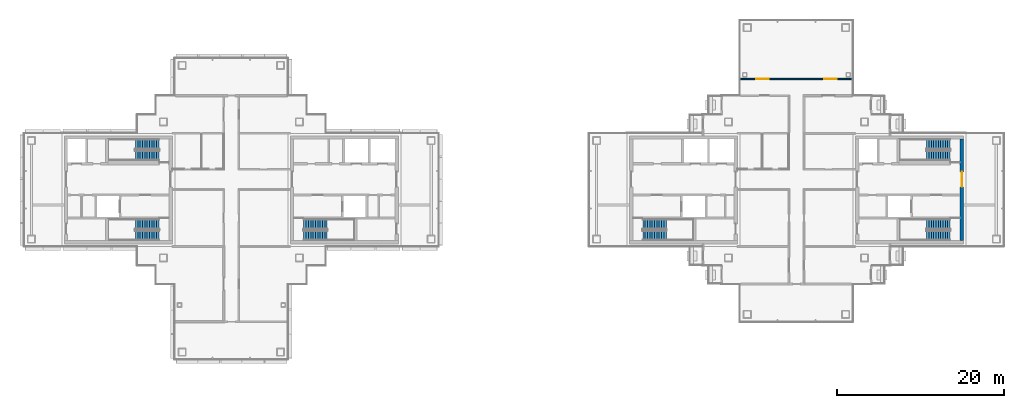
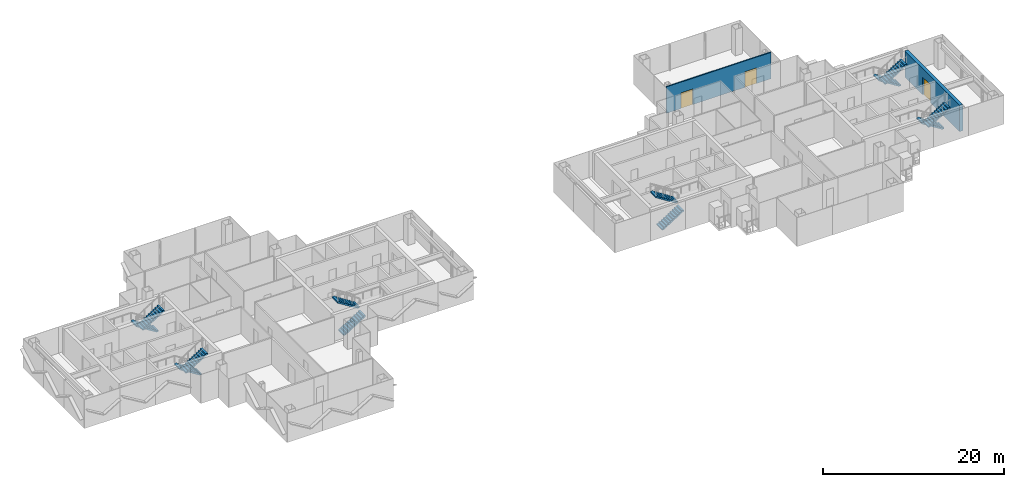
# One storey, part 13 of 17: 12 stair flights, 3 doors, 2 walls, 3 openings, 6 elements without a shape of their own.
"""IFC4 building model written with IfcOpenShell, lengths in metres."""

import ifcopenshell
import ifcopenshell.guid

model = None  # the IFC model being written
_history = None  # IfcOwnerHistory: only IFC2X3 demands one
_inside = {}  # id of a spatial element -> (the spatial element, [elements in it])
_under = {}  # id of a project, library or spatial element -> (it, [spatial elements below it])
_declared = {}  # id of a project -> (the project, [libraries it declares])
_typed = {}  # id of a type object -> (the type object, [elements of that type])
_made_of = {}  # id of a material, layer set ... -> (it, [elements and type objects made of it])


def new_model(schema):
    """Start an empty IFC model of exactly this schema.

    Asked for "IFC4X3", IfcOpenShell would pick the latest addendum, in which some entities
    have other attributes; the version numbers below select the first issue.
    IFC2X3 requires an IfcOwnerHistory on every rooted entity: one is made here for all.
    """
    global model, _history
    if schema == "IFC4X3":
        model = ifcopenshell.file(schema_version=(4, 3, 0, 0))
    else:
        model = ifcopenshell.file(schema=schema)
    _inside.clear()
    _under.clear()
    _declared.clear()
    _typed.clear()
    _made_of.clear()
    _history = None
    if model.schema == "IFC2X3":
        org = make("IfcOrganization", Name="unknown")
        user = make(
            "IfcPersonAndOrganization",
            ThePerson=make("IfcPerson", FamilyName="unknown"),
            TheOrganization=org,
        )
        app = make(
            "IfcApplication",
            ApplicationDeveloper=org,
            Version="unknown",
            ApplicationFullName="unknown",
            ApplicationIdentifier="unknown",
        )
        _history = make(
            "IfcOwnerHistory",
            OwningUser=user,
            OwningApplication=app,
            ChangeAction="ADDED",
            CreationDate=0,
        )
    return model


def make(cls, **values):
    """One entity of the class cls with the attributes given. An attribute that is None is left unset."""
    return model.create_entity(
        cls, **{name: value for name, value in values.items() if value is not None}
    )


def rooted(cls, **values):
    """An entity with a GlobalId (a new one), such as an element, a storey or a relation."""
    return make(cls, GlobalId=ifcopenshell.guid.new(), OwnerHistory=_history, **values)


def si_unit(unit_type, name, prefix=None):
    """IfcSIUnit, for example si_unit("LENGTHUNIT", "METRE", prefix="MILLI")."""
    return make("IfcSIUnit", UnitType=unit_type, Prefix=prefix, Name=name)


def assignment(units):
    """IfcUnitAssignment: the units of a project."""
    return None if units is None else make("IfcUnitAssignment", Units=units)


def point(xyz):
    """IfcCartesianPoint."""
    return None if xyz is None else make("IfcCartesianPoint", Coordinates=xyz)


def direction(xyz):
    """IfcDirection."""
    return None if xyz is None else make("IfcDirection", DirectionRatios=xyz)


def frame(location, z_axis=None, x_axis=None):
    """IfcAxis2Placement3D, a coordinate frame: its origin and axes. An axis left out is left unset."""
    return make(
        "IfcAxis2Placement3D",
        Location=point(location),
        Axis=direction(z_axis),
        RefDirection=direction(x_axis),
    )


def frame_2d(location, x_axis=None):
    """IfcAxis2Placement2D, a coordinate frame in the plane: its origin and x axis."""
    return make(
        "IfcAxis2Placement2D", Location=point(location), RefDirection=direction(x_axis)
    )


def origin():
    """The frame at (0, 0, 0) with its axes left unset."""
    return frame((0.0, 0.0, 0.0))


def place(relative_to, where):
    """IfcLocalPlacement: puts the frame where relative to a parent placement (None: the world)."""
    return make(
        "IfcLocalPlacement", PlacementRelTo=relative_to, RelativePlacement=where
    )


def context(
    kind, dimensions, precision=None, world=None, true_north=None, identifier=None
):
    """IfcGeometricRepresentationContext, for example the 3D "Model" context."""
    return make(
        "IfcGeometricRepresentationContext",
        ContextIdentifier=identifier,
        ContextType=kind,
        CoordinateSpaceDimension=dimensions,
        Precision=precision,
        WorldCoordinateSystem=world,
        TrueNorth=true_north,
    )


def subcontext(parent, identifier, kind, view, scale=None):
    """IfcGeometricRepresentationSubContext, for example "Body" below "Model"."""
    return make(
        "IfcGeometricRepresentationSubContext",
        ContextIdentifier=identifier,
        ContextType=kind,
        ParentContext=parent,
        TargetScale=scale,
        TargetView=view,
    )


def project(units=None, contexts=None):
    """IfcProject with its units and contexts."""
    return rooted(
        "IfcProject",
        Name="project",
        RepresentationContexts=contexts,
        UnitsInContext=assignment(units),
    )


def spatial(cls, under=None, at=None, **own):
    """A site, building, storey or space (cls), placed at a placement, below another one or the project."""
    s = rooted(cls, ObjectPlacement=at, **own)
    if under is not None:
        _under.setdefault(under.id(), (under, []))[1].append(s)
    return s


def polyline(points):
    """IfcPolyline through the points."""
    return make("IfcPolyline", Points=[point(p) for p in points])


def profile(cls, at=None, kind="AREA", **sizes):
    """A parametric profile (cls). Its sizes go by their IFC names, for example OverallWidth=200.0."""
    return make(cls, ProfileType=kind, Position=at, **sizes)


def rectangle(**sizes):
    """IfcRectangleProfileDef."""
    return profile("IfcRectangleProfileDef", **sizes)


def outline(outer, holes=None, kind="AREA"):
    """IfcArbitraryClosedProfileDef: a profile drawn as a closed curve; with holes, ...WithVoids."""
    if holes is None:
        return make("IfcArbitraryClosedProfileDef", ProfileType=kind, OuterCurve=outer)
    return make(
        "IfcArbitraryProfileDefWithVoids",
        ProfileType=kind,
        OuterCurve=outer,
        InnerCurves=holes,
    )


def extrude(swept, where, along, depth):
    """IfcExtrudedAreaSolid: the profile swept, set in the frame where, extruded along a direction by depth."""
    return make(
        "IfcExtrudedAreaSolid",
        SweptArea=swept,
        Position=where,
        ExtrudedDirection=direction(along),
        Depth=depth,
    )


def shape(context_of_items, identifier, shape_type, items):
    """IfcShapeRepresentation: the items that make up one representation, for example the "Body"."""
    return make(
        "IfcShapeRepresentation",
        ContextOfItems=context_of_items,
        RepresentationIdentifier=identifier,
        RepresentationType=shape_type,
        Items=items,
    )


def material(Name=None, Category=None):
    """IfcMaterial."""
    return make("IfcMaterial", Name=Name, Category=Category)


def layer(
    of_material, thickness, ventilated=None, Name=None, Category=None, Priority=None
):
    """IfcMaterialLayer: one layer of a wall or slab, of a material (None: an air gap)."""
    return make(
        "IfcMaterialLayer",
        Material=of_material,
        LayerThickness=thickness,
        IsVentilated=ventilated,
        Name=Name,
        Category=Category,
        Priority=Priority,
    )


def layer_set(layers, Name=None):
    """IfcMaterialLayerSet."""
    return make("IfcMaterialLayerSet", MaterialLayers=layers, LayerSetName=Name)


def made_of(thing, what):
    """Note that an element or type object is made of a material, layer set ...; save() writes the relation."""
    if what is not None:
        _made_of.setdefault(what.id(), (what, []))[1].append(thing)
    return thing


def type_object(cls, material=None, **own):
    """A type object (cls), such as IfcWallType, which elements share."""
    return made_of(rooted(cls, **own), material)


def element(
    cls,
    number,
    at=None,
    inside=None,
    cuts=None,
    type_object=None,
    material=None,
    context=None,
    identifier="Body",
    shape_type=None,
    held_by="IfcProductDefinitionShape",
    body=None,
    shapes=None,
    **own,
):
    """One element of the class cls, such as IfcWall. Its Tag is "e" and its number.

    at: its placement. inside: the storey or other place that contains it. cuts: it is an
    opening in that element (IfcRelVoidsElement). A single representation is given by context,
    identifier, shape_type and body (its items); several are given by shapes. held_by: the class
    of the entity that holds the representations. save() writes the other relations.
    """
    e = rooted(cls, Tag="e%d" % number, ObjectPlacement=at, **own)
    if body is not None:
        shapes = [shape(context, identifier, shape_type, body)]
    if shapes is not None:
        e.Representation = make(held_by, Representations=shapes)
    if inside is not None:
        _inside.setdefault(inside.id(), (inside, []))[1].append(e)
    if cuts is not None:
        rooted(
            "IfcRelVoidsElement", RelatingBuildingElement=cuts, RelatedOpeningElement=e
        )
    if type_object is not None:
        _typed.setdefault(type_object.id(), (type_object, []))[1].append(e)
    return made_of(e, material)


def fill(opening, filler):
    """IfcRelFillsElement: the door or window that sits in an opening."""
    return rooted(
        "IfcRelFillsElement",
        RelatingOpeningElement=opening,
        RelatedBuildingElement=filler,
    )


def aggregate(whole, parts):
    """IfcRelAggregates: a whole, such as a stair, and the parts it consists of."""
    return rooted("IfcRelAggregates", RelatingObject=whole, RelatedObjects=parts)


def save(model, path):
    """Write the relations noted so far, then the file.

    IfcRelAggregates (storeys below a building ...), IfcRelContainedInSpatialStructure (elements
    in a storey), IfcRelDefinesByType, IfcRelAssociatesMaterial and IfcRelDeclares: one each for
    every whole, place, type object, material and project.
    """
    for whole, parts in _under.values():
        aggregate(whole, parts)
    for where, things in _inside.values():
        rooted(
            "IfcRelContainedInSpatialStructure",
            RelatedElements=things,
            RelatingStructure=where,
        )
    for kind, things in _typed.values():
        rooted("IfcRelDefinesByType", RelatedObjects=things, RelatingType=kind)
    for what, things in _made_of.values():
        rooted("IfcRelAssociatesMaterial", RelatedObjects=things, RelatingMaterial=what)
    for by, libraries in _declared.values():
        rooted("IfcRelDeclares", RelatingContext=by, RelatedDefinitions=libraries)
    model.write(path)


model = new_model("IFC4")

# Units and contexts
model_context = context("Model", 3, precision=1e-05, world=origin(), true_north=direction((0.0, 1.0)))
body_context = subcontext(model_context, "Body", "Model", "MODEL_VIEW")
ifc_project = project(units=[si_unit("LENGTHUNIT", "METRE"), si_unit("AREAUNIT", "SQUARE_METRE"), si_unit("VOLUMEUNIT", "CUBIC_METRE"), si_unit("PLANEANGLEUNIT", "RADIAN"), si_unit("MASSUNIT", "GRAM", prefix="KILO")], contexts=[model_context])

# Site, building, storey
site_placement = place(None, origin())
site = spatial("IfcSite", under=ifc_project, at=site_placement, CompositionType="ELEMENT")
building_placement = place(site_placement, origin())
building = spatial("IfcBuilding", under=site, at=building_placement, Name="Shamsa Quay Exchange Towers", CompositionType="ELEMENT")
storey_placement = place(building_placement, frame((0.0, 0.0, 238.199951171875)))
storey = spatial("IfcBuildingStorey", under=building, at=storey_placement, Name="L57", CompositionType="ELEMENT", Elevation=238.199951171875)

# Wall, opening, door
ifc_material_1 = material(Name="Concrete C60/75", Category="concrete")
ifc_layer_1 = layer(ifc_material_1, 0.39990234375)
ifc_layer_set_1 = layer_set([ifc_layer_1], Name="CORE WALL 400 C60/75")
wall_type_1 = type_object("IfcWallType", Name="CORE WALL 400 C60/75", PredefinedType="SHEAR", material=ifc_layer_set_1)
wall_1_placement = place(storey_placement, frame((53.5, -6.050048828125, 0.0), z_axis=(0.0, 0.0, 1.0), x_axis=(0.0, 1.0, 0.0)))
wall_1 = element("IfcWall", 1, at=wall_1_placement, inside=storey, type_object=wall_type_1, Name="Core wall T2B-R25-PF", PredefinedType="SHEAR", context=body_context, shape_type="SweptSolid", body=[
    extrude(rectangle(XDim=12.10009765625, YDim=0.39990234375, at=frame_2d((6.050048828125, 0.0))), origin(), (0.0, 0.0, 1.0), 3.550048828125),
])
opening_1_placement = place(wall_1_placement, frame((6.39990234375, 0.0, 0.0)))
opening_1 = element("IfcOpeningElement", 2, at=opening_1_placement, cuts=wall_1, Name="Opening T2B-R25-LBD01", PredefinedType="OPENING", context=body_context, shape_type="SweptSolid", body=[
    extrude(rectangle(XDim=1.800048828125, YDim=2.39990234375, at=frame_2d((0.89990234375, 1.199951171875))), frame((0.0, 0.2099609375, 0.0), z_axis=(0.0, -1.0, 0.0), x_axis=(1.0, 0.0, 0.0)), (0.0, 0.0, 1.0), 0.419921875),
])
ifc_material_2 = material(Name="Steel, fire rated", Category="steel")
door_type_1 = type_object("IfcDoorType", Name="LIFT LOBBY DOOR PAIR 1800", OperationType="DOUBLE_DOOR_SINGLE_SWING", PredefinedType="DOOR", material=ifc_material_2)
door_1_placement = place(opening_1_placement, origin())
door_1 = element("IfcDoor", 3, at=door_1_placement, inside=storey, type_object=door_type_1, Name="T2B-R25-LBD01", OperationType="DOUBLE_DOOR_SINGLE_SWING", OverallHeight=2.39990234375, OverallWidth=1.800048828125, PredefinedType="DOOR", context=body_context, shape_type="SweptSolid", body=[
    extrude(rectangle(XDim=1.800048828125, YDim=2.39990234375, at=frame_2d((0.89990234375, 1.199951171875))), frame((0.0, 0.02490234375, 0.0), z_axis=(0.0, -1.0, 0.0), x_axis=(1.0, 0.0, 0.0)), (0.0, 0.0, 1.0), 0.050048828125),
])
fill(opening_1, door_1)

# Wall, openings, doors
ifc_material_3 = material(Name="Gypsum board partition on metal studs")
ifc_layer_2 = layer(ifc_material_3, 0.14990234375)
ifc_layer_set_2 = layer_set([ifc_layer_2], Name="Partition 150 mm EI 60")
wall_type_2 = type_object("IfcWallType", Name="Partition 150 mm EI 60", PredefinedType="PARTITIONING", material=ifc_layer_set_2)
wall_2_placement = place(storey_placement, frame((40.405029296875, 13.25, 0.0), z_axis=(0.0, 0.0, 1.0), x_axis=(-1.0, 0.0, 0.0)))
wall_2 = element("IfcWall", 4, at=wall_2_placement, inside=storey, type_object=wall_type_2, Name="Partition T2-R25-W13", PredefinedType="PARTITIONING", context=body_context, shape_type="SweptSolid", body=[
    extrude(rectangle(XDim=13.31005859375, YDim=0.14990234375, at=frame_2d((6.655029296875, 0.0))), origin(), (0.0, 0.0, 1.0), 3.550048828125),
])
opening_2_placement = place(wall_2_placement, frame((9.955078125, 0.0, 0.0)))
opening_2 = element("IfcOpeningElement", 5, at=opening_2_placement, cuts=wall_2, Name="Opening T2-R25-D11", PredefinedType="OPENING", context=body_context, shape_type="SweptSolid", body=[
    extrude(rectangle(XDim=1.5, YDim=2.10009765625, at=frame_2d((0.75, 1.050048828125))), frame((0.0, 0.0849609375, 0.0), z_axis=(0.0, -1.0, 0.0), x_axis=(1.0, 0.0, 0.0)), (0.0, 0.0, 1.0), 0.169921875),
])
opening_3_placement = place(wall_2_placement, frame((1.85498046875, 0.0, 0.0)))
opening_3 = element("IfcOpeningElement", 6, at=opening_3_placement, cuts=wall_2, Name="Opening T2-R25-D12", PredefinedType="OPENING", context=body_context, shape_type="SweptSolid", body=[
    extrude(rectangle(XDim=1.5, YDim=2.10009765625, at=frame_2d((0.75, 1.050048828125))), frame((0.0, 0.0849609375, 0.0), z_axis=(0.0, -1.0, 0.0), x_axis=(1.0, 0.0, 0.0)), (0.0, 0.0, 1.0), 0.169921875),
])
ifc_material_4 = material(Name="Timber door leaf in a metal frame", Category="wood")
door_type_2 = type_object("IfcDoorType", Name="Door 1500x2100 FD30S pair", OperationType="NOTDEFINED", PredefinedType="DOOR", material=ifc_material_4)
door_2_placement = place(opening_2_placement, origin())
door_2 = element("IfcDoor", 7, at=door_2_placement, inside=storey, type_object=door_type_2, Name="Door T2-R25-D11", OperationType="DOUBLE_DOOR_SINGLE_SWING", OverallHeight=2.10009765625, OverallWidth=1.5, PredefinedType="DOOR", context=body_context, shape_type="SweptSolid", body=[
    extrude(rectangle(XDim=1.5, YDim=2.10009765625, at=frame_2d((0.75, 1.050048828125))), frame((0.0, 0.02490234375, 0.0), z_axis=(0.0, -1.0, 0.0), x_axis=(1.0, 0.0, 0.0)), (0.0, 0.0, 1.0), 0.050048828125),
])
fill(opening_2, door_2)
door_3_placement = place(opening_3_placement, origin())
door_3 = element("IfcDoor", 8, at=door_3_placement, inside=storey, type_object=door_type_2, Name="Door T2-R25-D12", OperationType="DOUBLE_DOOR_SINGLE_SWING", OverallHeight=2.10009765625, OverallWidth=1.5, PredefinedType="DOOR", context=body_context, shape_type="SweptSolid", body=[
    extrude(rectangle(XDim=1.5, YDim=2.10009765625, at=frame_2d((0.75, 1.050048828125))), frame((0.0, 0.02490234375, 0.0), z_axis=(0.0, -1.0, 0.0), x_axis=(1.0, 0.0, 0.0)), (0.0, 0.0, 1.0), 0.050048828125),
])
fill(opening_3, door_3)

# Stair, stair flights
ifc_material_5 = material(Name="Concrete C40/50", Category="concrete")
stair_type = type_object("IfcStairType", Name="EXIT STAIR 22 RISERS 177 MM", PredefinedType="HALF_TURN_STAIR", material=ifc_material_5)
stair_1_placement = place(storey_placement, origin())
stair_1 = element("IfcStair", 9, at=stair_1_placement, inside=storey, type_object=stair_type, Name="L57 Exit stair ST1", PredefinedType="HALF_TURN_STAIR")
stair_flight_type = type_object("IfcStairFlightType", Name="EXIT STAIR FLIGHT 11 RISERS 177 MM", PredefinedType="STRAIGHT", material=ifc_material_5)
stair_flight_1_placement = place(storey_placement, frame((-25.10009765625, -5.449951171875, 0.0)))
stair_flight_1 = element("IfcStairFlight", 10, at=stair_flight_1_placement, type_object=stair_flight_type, Name="ST1 flight 1", NumberOfRisers=11, NumberOfTreads=10, PredefinedType="STRAIGHT", RiserHeight=0.177272727, TreadLength=0.28, context=body_context, shape_type="SweptSolid", body=[
    extrude(outline(polyline([(0.0, 0.0), (0.0, 0.17724609375), (0.280029296875, 0.17724609375), (0.280029296875, 0.3544921875), (0.56005859375, 0.3544921875), (0.56005859375, 0.53173828125), (0.840087890625, 0.53173828125), (0.840087890625, 0.708984375), (1.1201171875, 0.708984375), (1.1201171875, 0.886474609375), (1.39990234375, 0.886474609375), (1.39990234375, 1.063720703125), (1.679931640625, 1.063720703125), (1.679931640625, 1.240966796875), (1.9599609375, 1.240966796875), (1.9599609375, 1.418212890625), (2.239990234375, 1.418212890625), (2.239990234375, 1.595458984375), (2.52001953125, 1.595458984375), (2.52001953125, 1.772705078125), (2.800048828125, 1.772705078125), (2.800048828125, 1.949951171875), (2.800048828125, 1.607177734375), (0.261474609375, 0.0), (0.0, 0.0)])), frame((0.0, 0.60009765625, 0.0), z_axis=(0.0, -1.0, 0.0), x_axis=(1.0, 0.0, 0.0)), (0.0, 0.0, 1.0), 1.199951171875),
])
stair_flight_2_placement = place(storey_placement, frame((-22.300048828125, -4.10009765625, 1.949951171875), z_axis=(0.0, 0.0, 1.0), x_axis=(-1.0, 0.0, 0.0)))
stair_flight_2 = element("IfcStairFlight", 11, at=stair_flight_2_placement, type_object=stair_flight_type, Name="ST1 flight 2", NumberOfRisers=11, NumberOfTreads=10, PredefinedType="STRAIGHT", RiserHeight=0.177272727, TreadLength=0.28, context=body_context, shape_type="SweptSolid", body=[
    extrude(outline(polyline([(0.0, 0.0), (0.0, 0.17724609375), (0.280029296875, 0.17724609375), (0.280029296875, 0.3544921875), (0.56005859375, 0.3544921875), (0.56005859375, 0.53173828125), (0.840087890625, 0.53173828125), (0.840087890625, 0.708984375), (1.1201171875, 0.708984375), (1.1201171875, 0.886474609375), (1.39990234375, 0.886474609375), (1.39990234375, 1.063720703125), (1.679931640625, 1.063720703125), (1.679931640625, 1.240966796875), (1.9599609375, 1.240966796875), (1.9599609375, 1.418212890625), (2.239990234375, 1.418212890625), (2.239990234375, 1.595458984375), (2.52001953125, 1.595458984375), (2.52001953125, 1.772705078125), (2.800048828125, 1.772705078125), (2.800048828125, 1.949951171875), (2.800048828125, 1.607177734375), (0.261474609375, 0.0), (0.0, 0.0)])), frame((0.0, 0.60009765625, 0.0), z_axis=(0.0, -1.0, 0.0), x_axis=(1.0, 0.0, 0.0)), (0.0, 0.0, 1.0), 1.199951171875),
])
aggregate(stair_1, [stair_flight_1, stair_flight_2])

stair_2_placement = place(storey_placement, origin())
stair_2 = element("IfcStair", 12, at=stair_2_placement, inside=storey, type_object=stair_type, Name="L57 Exit stair ST2", PredefinedType="HALF_TURN_STAIR")
stair_flight_3_placement = place(storey_placement, frame((-42.39990234375, -4.10009765625, 0.0), z_axis=(0.0, 0.0, 1.0), x_axis=(-1.0, 0.0, 0.0)))
stair_flight_3 = element("IfcStairFlight", 13, at=stair_flight_3_placement, type_object=stair_flight_type, Name="ST2 flight 1", NumberOfRisers=11, NumberOfTreads=10, PredefinedType="STRAIGHT", RiserHeight=0.177272727, TreadLength=0.28, context=body_context, shape_type="SweptSolid", body=[
    extrude(outline(polyline([(0.0, 0.0), (0.0, 0.17724609375), (0.280029296875, 0.17724609375), (0.280029296875, 0.3544921875), (0.56005859375, 0.3544921875), (0.56005859375, 0.53173828125), (0.840087890625, 0.53173828125), (0.840087890625, 0.708984375), (1.1201171875, 0.708984375), (1.1201171875, 0.886474609375), (1.39990234375, 0.886474609375), (1.39990234375, 1.063720703125), (1.679931640625, 1.063720703125), (1.679931640625, 1.240966796875), (1.9599609375, 1.240966796875), (1.9599609375, 1.418212890625), (2.239990234375, 1.418212890625), (2.239990234375, 1.595458984375), (2.52001953125, 1.595458984375), (2.52001953125, 1.772705078125), (2.800048828125, 1.772705078125), (2.800048828125, 1.949951171875), (2.800048828125, 1.607177734375), (0.261474609375, 0.0), (0.0, 0.0)])), frame((0.0, 0.60009765625, 0.0), z_axis=(0.0, -1.0, 0.0), x_axis=(1.0, 0.0, 0.0)), (0.0, 0.0, 1.0), 1.199951171875),
])
stair_flight_4_placement = place(storey_placement, frame((-45.199951171875, -5.449951171875, 1.949951171875)))
stair_flight_4 = element("IfcStairFlight", 14, at=stair_flight_4_placement, type_object=stair_flight_type, Name="ST2 flight 2", NumberOfRisers=11, NumberOfTreads=10, PredefinedType="STRAIGHT", RiserHeight=0.177272727, TreadLength=0.28, context=body_context, shape_type="SweptSolid", body=[
    extrude(outline(polyline([(0.0, 0.0), (0.0, 0.17724609375), (0.280029296875, 0.17724609375), (0.280029296875, 0.3544921875), (0.56005859375, 0.3544921875), (0.56005859375, 0.53173828125), (0.840087890625, 0.53173828125), (0.840087890625, 0.708984375), (1.1201171875, 0.708984375), (1.1201171875, 0.886474609375), (1.39990234375, 0.886474609375), (1.39990234375, 1.063720703125), (1.679931640625, 1.063720703125), (1.679931640625, 1.240966796875), (1.9599609375, 1.240966796875), (1.9599609375, 1.418212890625), (2.239990234375, 1.418212890625), (2.239990234375, 1.595458984375), (2.52001953125, 1.595458984375), (2.52001953125, 1.772705078125), (2.800048828125, 1.772705078125), (2.800048828125, 1.949951171875), (2.800048828125, 1.607177734375), (0.261474609375, 0.0), (0.0, 0.0)])), frame((0.0, 0.60009765625, 0.0), z_axis=(0.0, -1.0, 0.0), x_axis=(1.0, 0.0, 0.0)), (0.0, 0.0, 1.0), 1.199951171875),
])
aggregate(stair_2, [stair_flight_3, stair_flight_4])

stair_3_placement = place(storey_placement, origin())
stair_3 = element("IfcStair", 15, at=stair_3_placement, inside=storey, type_object=stair_type, Name="L57 Exit stair ST3", PredefinedType="HALF_TURN_STAIR")
stair_flight_5_placement = place(storey_placement, frame((-42.39990234375, 5.449951171875, 0.0), z_axis=(0.0, 0.0, 1.0), x_axis=(-1.0, 0.0, 0.0)))
stair_flight_5 = element("IfcStairFlight", 16, at=stair_flight_5_placement, type_object=stair_flight_type, Name="ST3 flight 1", NumberOfRisers=11, NumberOfTreads=10, PredefinedType="STRAIGHT", RiserHeight=0.177272727, TreadLength=0.28, context=body_context, shape_type="SweptSolid", body=[
    extrude(outline(polyline([(0.0, 0.0), (0.0, 0.17724609375), (0.280029296875, 0.17724609375), (0.280029296875, 0.3544921875), (0.56005859375, 0.3544921875), (0.56005859375, 0.53173828125), (0.840087890625, 0.53173828125), (0.840087890625, 0.708984375), (1.1201171875, 0.708984375), (1.1201171875, 0.886474609375), (1.39990234375, 0.886474609375), (1.39990234375, 1.063720703125), (1.679931640625, 1.063720703125), (1.679931640625, 1.240966796875), (1.9599609375, 1.240966796875), (1.9599609375, 1.418212890625), (2.239990234375, 1.418212890625), (2.239990234375, 1.595458984375), (2.52001953125, 1.595458984375), (2.52001953125, 1.772705078125), (2.800048828125, 1.772705078125), (2.800048828125, 1.949951171875), (2.800048828125, 1.607177734375), (0.261474609375, 0.0), (0.0, 0.0)])), frame((0.0, 0.60009765625, 0.0), z_axis=(0.0, -1.0, 0.0), x_axis=(1.0, 0.0, 0.0)), (0.0, 0.0, 1.0), 1.199951171875),
])
stair_flight_6_placement = place(storey_placement, frame((-45.199951171875, 4.10009765625, 1.949951171875)))
stair_flight_6 = element("IfcStairFlight", 17, at=stair_flight_6_placement, type_object=stair_flight_type, Name="ST3 flight 2", NumberOfRisers=11, NumberOfTreads=10, PredefinedType="STRAIGHT", RiserHeight=0.177272727, TreadLength=0.28, context=body_context, shape_type="SweptSolid", body=[
    extrude(outline(polyline([(0.0, 0.0), (0.0, 0.17724609375), (0.280029296875, 0.17724609375), (0.280029296875, 0.3544921875), (0.56005859375, 0.3544921875), (0.56005859375, 0.53173828125), (0.840087890625, 0.53173828125), (0.840087890625, 0.708984375), (1.1201171875, 0.708984375), (1.1201171875, 0.886474609375), (1.39990234375, 0.886474609375), (1.39990234375, 1.063720703125), (1.679931640625, 1.063720703125), (1.679931640625, 1.240966796875), (1.9599609375, 1.240966796875), (1.9599609375, 1.418212890625), (2.239990234375, 1.418212890625), (2.239990234375, 1.595458984375), (2.52001953125, 1.595458984375), (2.52001953125, 1.772705078125), (2.800048828125, 1.772705078125), (2.800048828125, 1.949951171875), (2.800048828125, 1.607177734375), (0.261474609375, 0.0), (0.0, 0.0)])), frame((0.0, 0.60009765625, 0.0), z_axis=(0.0, -1.0, 0.0), x_axis=(1.0, 0.0, 0.0)), (0.0, 0.0, 1.0), 1.199951171875),
])
aggregate(stair_3, [stair_flight_5, stair_flight_6])

stair_4_placement = place(storey_placement, origin())
stair_4 = element("IfcStair", 18, at=stair_4_placement, inside=storey, type_object=stair_type, Name="L57 Exit stair ST4", PredefinedType="HALF_TURN_STAIR")
stair_flight_7_placement = place(storey_placement, frame((15.39990234375, -5.449951171875, 0.0)))
stair_flight_7 = element("IfcStairFlight", 19, at=stair_flight_7_placement, type_object=stair_flight_type, Name="ST4 flight 1", NumberOfRisers=11, NumberOfTreads=10, PredefinedType="STRAIGHT", RiserHeight=0.177272727, TreadLength=0.28, context=body_context, shape_type="SweptSolid", body=[
    extrude(outline(polyline([(0.0, 0.0), (0.0, 0.17724609375), (0.280029296875, 0.17724609375), (0.280029296875, 0.3544921875), (0.56005859375, 0.3544921875), (0.56005859375, 0.53173828125), (0.840087890625, 0.53173828125), (0.840087890625, 0.708984375), (1.1201171875, 0.708984375), (1.1201171875, 0.886474609375), (1.39990234375, 0.886474609375), (1.39990234375, 1.063720703125), (1.679931640625, 1.063720703125), (1.679931640625, 1.240966796875), (1.9599609375, 1.240966796875), (1.9599609375, 1.418212890625), (2.239990234375, 1.418212890625), (2.239990234375, 1.595458984375), (2.52001953125, 1.595458984375), (2.52001953125, 1.772705078125), (2.800048828125, 1.772705078125), (2.800048828125, 1.949951171875), (2.800048828125, 1.607177734375), (0.261474609375, 0.0), (0.0, 0.0)])), frame((0.0, 0.60009765625, 0.0), z_axis=(0.0, -1.0, 0.0), x_axis=(1.0, 0.0, 0.0)), (0.0, 0.0, 1.0), 1.199951171875),
])
stair_flight_8_placement = place(storey_placement, frame((18.199951171875, -4.10009765625, 1.949951171875), z_axis=(0.0, 0.0, 1.0), x_axis=(-1.0, 0.0, 0.0)))
stair_flight_8 = element("IfcStairFlight", 20, at=stair_flight_8_placement, type_object=stair_flight_type, Name="ST4 flight 2", NumberOfRisers=11, NumberOfTreads=10, PredefinedType="STRAIGHT", RiserHeight=0.177272727, TreadLength=0.28, context=body_context, shape_type="SweptSolid", body=[
    extrude(outline(polyline([(0.0, 0.0), (0.0, 0.17724609375), (0.280029296875, 0.17724609375), (0.280029296875, 0.3544921875), (0.56005859375, 0.3544921875), (0.56005859375, 0.53173828125), (0.840087890625, 0.53173828125), (0.840087890625, 0.708984375), (1.1201171875, 0.708984375), (1.1201171875, 0.886474609375), (1.39990234375, 0.886474609375), (1.39990234375, 1.063720703125), (1.679931640625, 1.063720703125), (1.679931640625, 1.240966796875), (1.9599609375, 1.240966796875), (1.9599609375, 1.418212890625), (2.239990234375, 1.418212890625), (2.239990234375, 1.595458984375), (2.52001953125, 1.595458984375), (2.52001953125, 1.772705078125), (2.800048828125, 1.772705078125), (2.800048828125, 1.949951171875), (2.800048828125, 1.607177734375), (0.261474609375, 0.0), (0.0, 0.0)])), frame((0.0, 0.60009765625, 0.0), z_axis=(0.0, -1.0, 0.0), x_axis=(1.0, 0.0, 0.0)), (0.0, 0.0, 1.0), 1.199951171875),
])
aggregate(stair_4, [stair_flight_7, stair_flight_8])

stair_5_placement = place(storey_placement, origin())
stair_5 = element("IfcStair", 21, at=stair_5_placement, inside=storey, type_object=stair_type, Name="L57 Exit stair ST5", PredefinedType="HALF_TURN_STAIR")
stair_flight_9_placement = place(storey_placement, frame((52.10009765625, -4.10009765625, 0.0), z_axis=(0.0, 0.0, 1.0), x_axis=(-1.0, 0.0, 0.0)))
stair_flight_9 = element("IfcStairFlight", 22, at=stair_flight_9_placement, type_object=stair_flight_type, Name="ST5 flight 1", NumberOfRisers=11, NumberOfTreads=10, PredefinedType="STRAIGHT", RiserHeight=0.177272727, TreadLength=0.28, context=body_context, shape_type="SweptSolid", body=[
    extrude(outline(polyline([(0.0, 0.0), (0.0, 0.17724609375), (0.280029296875, 0.17724609375), (0.280029296875, 0.3544921875), (0.56005859375, 0.3544921875), (0.56005859375, 0.53173828125), (0.840087890625, 0.53173828125), (0.840087890625, 0.708984375), (1.1201171875, 0.708984375), (1.1201171875, 0.886474609375), (1.39990234375, 0.886474609375), (1.39990234375, 1.063720703125), (1.679931640625, 1.063720703125), (1.679931640625, 1.240966796875), (1.9599609375, 1.240966796875), (1.9599609375, 1.418212890625), (2.239990234375, 1.418212890625), (2.239990234375, 1.595458984375), (2.52001953125, 1.595458984375), (2.52001953125, 1.772705078125), (2.800048828125, 1.772705078125), (2.800048828125, 1.949951171875), (2.800048828125, 1.607177734375), (0.261474609375, 0.0), (0.0, 0.0)])), frame((0.0, 0.60009765625, 0.0), z_axis=(0.0, -1.0, 0.0), x_axis=(1.0, 0.0, 0.0)), (0.0, 0.0, 1.0), 1.199951171875),
])
stair_flight_10_placement = place(storey_placement, frame((49.300048828125, -5.449951171875, 1.949951171875)))
stair_flight_10 = element("IfcStairFlight", 23, at=stair_flight_10_placement, type_object=stair_flight_type, Name="ST5 flight 2", NumberOfRisers=11, NumberOfTreads=10, PredefinedType="STRAIGHT", RiserHeight=0.177272727, TreadLength=0.28, context=body_context, shape_type="SweptSolid", body=[
    extrude(outline(polyline([(0.0, 0.0), (0.0, 0.17724609375), (0.280029296875, 0.17724609375), (0.280029296875, 0.3544921875), (0.56005859375, 0.3544921875), (0.56005859375, 0.53173828125), (0.840087890625, 0.53173828125), (0.840087890625, 0.708984375), (1.1201171875, 0.708984375), (1.1201171875, 0.886474609375), (1.39990234375, 0.886474609375), (1.39990234375, 1.063720703125), (1.679931640625, 1.063720703125), (1.679931640625, 1.240966796875), (1.9599609375, 1.240966796875), (1.9599609375, 1.418212890625), (2.239990234375, 1.418212890625), (2.239990234375, 1.595458984375), (2.52001953125, 1.595458984375), (2.52001953125, 1.772705078125), (2.800048828125, 1.772705078125), (2.800048828125, 1.949951171875), (2.800048828125, 1.607177734375), (0.261474609375, 0.0), (0.0, 0.0)])), frame((0.0, 0.60009765625, 0.0), z_axis=(0.0, -1.0, 0.0), x_axis=(1.0, 0.0, 0.0)), (0.0, 0.0, 1.0), 1.199951171875),
])
aggregate(stair_5, [stair_flight_9, stair_flight_10])

stair_6_placement = place(storey_placement, origin())
stair_6 = element("IfcStair", 24, at=stair_6_placement, inside=storey, type_object=stair_type, Name="L57 Exit stair ST6", PredefinedType="HALF_TURN_STAIR")
stair_flight_11_placement = place(storey_placement, frame((52.10009765625, 5.449951171875, 0.0), z_axis=(0.0, 0.0, 1.0), x_axis=(-1.0, 0.0, 0.0)))
stair_flight_11 = element("IfcStairFlight", 25, at=stair_flight_11_placement, type_object=stair_flight_type, Name="ST6 flight 1", NumberOfRisers=11, NumberOfTreads=10, PredefinedType="STRAIGHT", RiserHeight=0.177272727, TreadLength=0.28, context=body_context, shape_type="SweptSolid", body=[
    extrude(outline(polyline([(0.0, 0.0), (0.0, 0.17724609375), (0.280029296875, 0.17724609375), (0.280029296875, 0.3544921875), (0.56005859375, 0.3544921875), (0.56005859375, 0.53173828125), (0.840087890625, 0.53173828125), (0.840087890625, 0.708984375), (1.1201171875, 0.708984375), (1.1201171875, 0.886474609375), (1.39990234375, 0.886474609375), (1.39990234375, 1.063720703125), (1.679931640625, 1.063720703125), (1.679931640625, 1.240966796875), (1.9599609375, 1.240966796875), (1.9599609375, 1.418212890625), (2.239990234375, 1.418212890625), (2.239990234375, 1.595458984375), (2.52001953125, 1.595458984375), (2.52001953125, 1.772705078125), (2.800048828125, 1.772705078125), (2.800048828125, 1.949951171875), (2.800048828125, 1.607177734375), (0.261474609375, 0.0), (0.0, 0.0)])), frame((0.0, 0.60009765625, 0.0), z_axis=(0.0, -1.0, 0.0), x_axis=(1.0, 0.0, 0.0)), (0.0, 0.0, 1.0), 1.199951171875),
])
stair_flight_12_placement = place(storey_placement, frame((49.300048828125, 4.10009765625, 1.949951171875)))
stair_flight_12 = element("IfcStairFlight", 26, at=stair_flight_12_placement, type_object=stair_flight_type, Name="ST6 flight 2", NumberOfRisers=11, NumberOfTreads=10, PredefinedType="STRAIGHT", RiserHeight=0.177272727, TreadLength=0.28, context=body_context, shape_type="SweptSolid", body=[
    extrude(outline(polyline([(0.0, 0.0), (0.0, 0.17724609375), (0.280029296875, 0.17724609375), (0.280029296875, 0.3544921875), (0.56005859375, 0.3544921875), (0.56005859375, 0.53173828125), (0.840087890625, 0.53173828125), (0.840087890625, 0.708984375), (1.1201171875, 0.708984375), (1.1201171875, 0.886474609375), (1.39990234375, 0.886474609375), (1.39990234375, 1.063720703125), (1.679931640625, 1.063720703125), (1.679931640625, 1.240966796875), (1.9599609375, 1.240966796875), (1.9599609375, 1.418212890625), (2.239990234375, 1.418212890625), (2.239990234375, 1.595458984375), (2.52001953125, 1.595458984375), (2.52001953125, 1.772705078125), (2.800048828125, 1.772705078125), (2.800048828125, 1.949951171875), (2.800048828125, 1.607177734375), (0.261474609375, 0.0), (0.0, 0.0)])), frame((0.0, 0.60009765625, 0.0), z_axis=(0.0, -1.0, 0.0), x_axis=(1.0, 0.0, 0.0)), (0.0, 0.0, 1.0), 1.199951171875),
])
aggregate(stair_6, [stair_flight_11, stair_flight_12])

save(model, "model.ifc")
